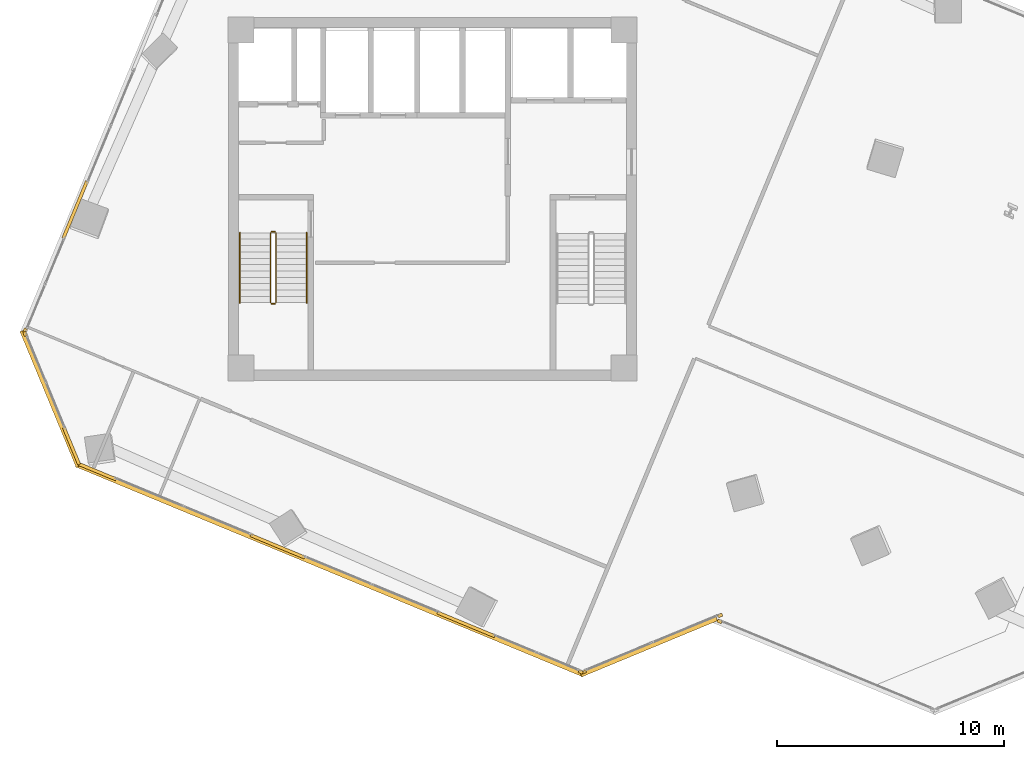
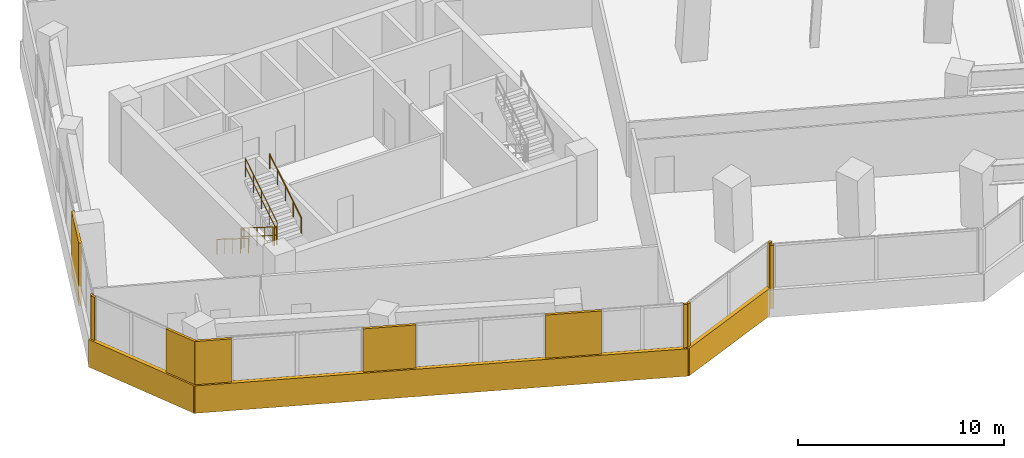
# One storey, part 20 of 23: 14 coverings, 6 railings.
"""IFC4 building model written with IfcOpenShell, lengths in metres."""

from ifc_helpers import new_model, si_unit, direction, frame, origin, origin_2d, place, context, subcontext, project, spatial, rectangle, circle, extrude, source, transform, mapped, material, layer, layer_set, type_object, element, save


model = new_model("IFC4")

# Units and contexts
model_context = context("Model", 3, precision=1e-05, world=origin(), true_north=direction((0.0, 1.0)))
body_context = subcontext(model_context, "Body", "Model", "MODEL_VIEW")
ifc_project = project(units=[si_unit("LENGTHUNIT", "METRE"), si_unit("AREAUNIT", "SQUARE_METRE"), si_unit("VOLUMEUNIT", "CUBIC_METRE"), si_unit("PLANEANGLEUNIT", "RADIAN"), si_unit("MASSUNIT", "GRAM", prefix="KILO")], contexts=[model_context])

# Site, building, storey
site_placement = place(None, origin())
site = spatial("IfcSite", under=ifc_project, at=site_placement, CompositionType="ELEMENT")
building_placement = place(site_placement, origin())
building = spatial("IfcBuilding", under=site, at=building_placement, Name="Torre Montelarca", CompositionType="ELEMENT")
storey_placement = place(building_placement, frame((0.0, 0.0, 145.60009765625)))
storey = spatial("IfcBuildingStorey", under=building, at=storey_placement, Name="L32", CompositionType="ELEMENT", Elevation=145.60009765625)

# Railings
ifc_material_1 = material(Name="Powder-coated steel ASTM A500 Grade C", Category="steel")
railing_type_1 = type_object("IfcRailingType", Name="RL-GUARD-1100", PredefinedType="BALUSTRADE", material=ifc_material_1)
railing_1_placement = place(storey_placement, frame((10.85009765625, 30.5, 0.1748046875)))
element("IfcRailing", 1, at=railing_1_placement, inside=storey, type_object=railing_type_1, Name="L32 ST1 stair guard 1", PredefinedType="BALUSTRADE", context=body_context, shape_type="SweptSolid", body=[
    extrude(circle(Radius=0.02392578125, at=origin_2d()), frame((0.0, 0.0, 1.076171875), z_axis=(0.0, -0.847998304005, 0.529998940003), x_axis=(1.0, 0.0, 0.0)), (0.0, 0.0, 1.0), 3.632080078125),
    extrude(circle(Radius=0.02099609375, at=origin_2d()), frame((0.0, 0.0, 0.572021484375), z_axis=(0.0, -0.847998304005, 0.529998940003), x_axis=(1.0, 0.0, 0.0)), (0.0, 0.0, 1.0), 3.632080078125),
    extrude(circle(Radius=0.02099609375, at=origin_2d()), origin(), (0.0, 0.0, 1.0), 1.052001953125),
    extrude(circle(Radius=0.02099609375, at=origin_2d()), frame((0.0, -0.77001953125, 0.481201171875)), (0.0, 0.0, 1.0), 1.052001953125),
    extrude(circle(Radius=0.02099609375, at=origin_2d()), frame((0.0, -1.5400390625, 0.96240234375)), (0.0, 0.0, 1.0), 1.052001953125),
    extrude(circle(Radius=0.02099609375, at=origin_2d()), frame((0.0, -2.31005859375, 1.44384765625)), (0.0, 0.0, 1.0), 1.052001953125),
    extrude(circle(Radius=0.02099609375, at=origin_2d()), frame((0.0, -3.080078125, 1.925048828125)), (0.0, 0.0, 1.0), 1.052001953125),
])
railing_2_placement = place(storey_placement, frame((10.89990234375, 27.3701171875, 2.099853515625)))
element("IfcRailing", 2, at=railing_2_placement, inside=storey, type_object=railing_type_1, Name="L32 ST1 stair guard 2", PredefinedType="BALUSTRADE", context=body_context, shape_type="SweptSolid", body=[
    extrude(circle(Radius=0.02392578125, at=origin_2d()), frame((0.0, 0.0, 1.076171875), z_axis=(1.0, 0.0, 0.0), x_axis=(0.0, 1.0, 0.0)), (0.0, 0.0, 1.0), 0.150146484375),
    extrude(circle(Radius=0.02099609375, at=origin_2d()), frame((0.0, 0.0, 0.572021484375), z_axis=(1.0, 0.0, 0.0), x_axis=(0.0, 1.0, 0.0)), (0.0, 0.0, 1.0), 0.150146484375),
    extrude(circle(Radius=0.02099609375, at=origin_2d()), origin(), (0.0, 0.0, 1.0), 1.052001953125),
    extrude(circle(Radius=0.02099609375, at=origin_2d()), frame((0.150146484375, 0.0, 0.0)), (0.0, 0.0, 1.0), 1.052001953125),
])
railing_3_placement = place(storey_placement, frame((11.10009765625, 27.419921875, 2.27490234375)))
element("IfcRailing", 3, at=railing_3_placement, inside=storey, type_object=railing_type_1, Name="L32 ST1 stair guard 3", PredefinedType="BALUSTRADE", context=body_context, shape_type="SweptSolid", body=[
    extrude(circle(Radius=0.02392578125, at=origin_2d()), frame((0.0, 0.0, 1.076171875), z_axis=(0.0, 0.847998304005, 0.529998940003), x_axis=(-1.0, 0.0, 0.0)), (0.0, 0.0, 1.0), 3.632080078125),
    extrude(circle(Radius=0.02099609375, at=origin_2d()), frame((0.0, 0.0, 0.572021484375), z_axis=(0.0, 0.847998304005, 0.529998940003), x_axis=(-1.0, 0.0, 0.0)), (0.0, 0.0, 1.0), 3.632080078125),
    extrude(circle(Radius=0.02099609375, at=origin_2d()), origin(), (0.0, 0.0, 1.0), 1.052001953125),
    extrude(circle(Radius=0.02099609375, at=origin_2d()), frame((0.0, 0.77001953125, 0.481201171875)), (0.0, 0.0, 1.0), 1.052001953125),
    extrude(circle(Radius=0.02099609375, at=origin_2d()), frame((0.0, 1.5400390625, 0.96240234375)), (0.0, 0.0, 1.0), 1.052001953125),
    extrude(circle(Radius=0.02099609375, at=origin_2d()), frame((0.0, 2.31005859375, 1.44384765625)), (0.0, 0.0, 1.0), 1.052001953125),
    extrude(circle(Radius=0.02099609375, at=origin_2d()), frame((0.0, 3.080078125, 1.925048828125)), (0.0, 0.0, 1.0), 1.052001953125),
])
railing_4_placement = place(storey_placement, frame((10.89990234375, 30.550048828125, 0.0)))
element("IfcRailing", 4, at=railing_4_placement, inside=storey, type_object=railing_type_1, Name="L32 ST1 stair guard 4", PredefinedType="BALUSTRADE", context=body_context, shape_type="SweptSolid", body=[
    extrude(circle(Radius=0.02392578125, at=origin_2d()), frame((0.0, 0.0, 1.076171875), z_axis=(1.0, 0.0, 0.0), x_axis=(0.0, 1.0, 0.0)), (0.0, 0.0, 1.0), 0.150146484375),
    extrude(circle(Radius=0.02099609375, at=origin_2d()), frame((0.0, 0.0, 0.572021484375), z_axis=(1.0, 0.0, 0.0), x_axis=(0.0, 1.0, 0.0)), (0.0, 0.0, 1.0), 0.150146484375),
    extrude(circle(Radius=0.02099609375, at=origin_2d()), origin(), (0.0, 0.0, 1.0), 1.052001953125),
    extrude(circle(Radius=0.02099609375, at=origin_2d()), frame((0.150146484375, 0.0, 0.0)), (0.0, 0.0, 1.0), 1.052001953125),
])
ifc_material_2 = material(Name="Brushed stainless steel AISI 316", Category="steel")
railing_type_2 = type_object("IfcRailingType", Name="RL-HANDRAIL-900", PredefinedType="HANDRAIL", material=ifc_material_2)
railing_5_placement = place(storey_placement, frame((9.5, 30.5, 0.1748046875)))
element("IfcRailing", 5, at=railing_5_placement, inside=storey, type_object=railing_type_2, Name="L32 ST1 stair handrail 1", PredefinedType="HANDRAIL", context=body_context, shape_type="SweptSolid", body=[
    extrude(circle(Radius=0.02392578125, at=origin_2d()), frame((0.0, 0.0, 0.8759765625), z_axis=(0.0, -0.847998304005, 0.529998940003), x_axis=(1.0, 0.0, 0.0)), (0.0, 0.0, 1.0), 3.632080078125),
    extrude(circle(Radius=0.02099609375, at=origin_2d()), origin(), (0.0, 0.0, 1.0), 0.851806640625),
    extrude(circle(Radius=0.02099609375, at=origin_2d()), frame((0.0, -0.77001953125, 0.481201171875)), (0.0, 0.0, 1.0), 0.851806640625),
    extrude(circle(Radius=0.02099609375, at=origin_2d()), frame((0.0, -1.5400390625, 0.96240234375)), (0.0, 0.0, 1.0), 0.851806640625),
    extrude(circle(Radius=0.02099609375, at=origin_2d()), frame((0.0, -2.31005859375, 1.44384765625)), (0.0, 0.0, 1.0), 0.851806640625),
    extrude(circle(Radius=0.02099609375, at=origin_2d()), frame((0.0, -3.080078125, 1.925048828125)), (0.0, 0.0, 1.0), 0.851806640625),
])
railing_6_placement = place(storey_placement, frame((12.449951171875, 27.419921875, 2.27490234375)))
element("IfcRailing", 6, at=railing_6_placement, inside=storey, type_object=railing_type_2, Name="L32 ST1 stair handrail 2", PredefinedType="HANDRAIL", context=body_context, shape_type="SweptSolid", body=[
    extrude(circle(Radius=0.02392578125, at=origin_2d()), frame((0.0, 0.0, 0.8759765625), z_axis=(0.0, 0.847998304005, 0.529998940003), x_axis=(-1.0, 0.0, 0.0)), (0.0, 0.0, 1.0), 3.632080078125),
    extrude(circle(Radius=0.02099609375, at=origin_2d()), origin(), (0.0, 0.0, 1.0), 0.851806640625),
    extrude(circle(Radius=0.02099609375, at=origin_2d()), frame((0.0, 0.77001953125, 0.481201171875)), (0.0, 0.0, 1.0), 0.851806640625),
    extrude(circle(Radius=0.02099609375, at=origin_2d()), frame((0.0, 1.5400390625, 0.96240234375)), (0.0, 0.0, 1.0), 0.851806640625),
    extrude(circle(Radius=0.02099609375, at=origin_2d()), frame((0.0, 2.31005859375, 1.44384765625)), (0.0, 0.0, 1.0), 0.851806640625),
    extrude(circle(Radius=0.02099609375, at=origin_2d()), frame((0.0, 3.080078125, 1.925048828125)), (0.0, 0.0, 1.0), 0.851806640625),
])

# Coverings
ifc_material_3 = material(Name="Bush-hammered warm white precast concrete C45/55", Category="concrete")
ifc_layer = layer(ifc_material_3, 0.139892578125, Name="Bush-hammered warm white precast concrete C45/55", Category="concrete")
ifc_layer_set = layer_set([ifc_layer], Name="Bush-hammered warm white precast concrete C45/55")
covering_type = type_object("IfcCoveringType", Name="COV-TRAY-CLAD", PredefinedType="CLADDING", material=ifc_layer_set)
shared_shape_1 = source(origin(), body_context, "Body", "SweptSolid", [
    extrude(rectangle(XDim=24.219970703125, YDim=0.219970703125, at=origin_2d()), origin(), (0.0, 0.0, 1.0), 1.6201171875),
])
covering_1_placement = place(storey_placement, frame((13.484130859375, 15.6533203125, -0.4501953125), z_axis=(0.0, 0.0, 1.0), x_axis=(0.923878196688, -0.382686657311, 0.0)))
element("IfcCovering", 7, at=covering_1_placement, inside=storey, type_object=covering_type, Name="L32 Architectural White Spandrel Tray Band TRYBOT-01", PredefinedType="CLADDING", context=body_context, shape_type="MappedRepresentation", body=[
    mapped(shared_shape_1, transform((0.0, 0.0, 0.0), scale=1.0)),
])
shared_shape_2 = source(origin(), body_context, "Body", "SweptSolid", [
    extrude(rectangle(XDim=6.48388671875, YDim=0.219970703125, at=origin_2d()), origin(), (0.0, 0.0, 1.0), 1.6201171875),
])
for number, where, z_axis, x_axis, name in (
    (8, (27.53369140625, 12.259521484375, -0.4501953125), (0.0, 0.0, 1.0), (0.923880200418, 0.382681819891, 0.0), "L32 Architectural White Spandrel Tray Band TRYBOT-02"),
    (9, (1.14990234375, 23.18798828125, -0.4501953125), (0.0, 0.0, 1.0), (0.382688269782, -0.923877528773, 0.0), "L32 Architectural White Spandrel Tray Band TRYBOT-11"),
):
    element("IfcCovering", number, at=place(storey_placement, frame(where, z_axis=z_axis, x_axis=x_axis)), inside=storey, type_object=covering_type, Name=name, PredefinedType="CLADDING", context=body_context, shape_type="MappedRepresentation", body=[
        mapped(shared_shape_2, transform((0.0, 0.0, 0.0), scale=1.0)),
    ])
shared_shape_3 = source(origin(), body_context, "Body", "SweptSolid", [
    extrude(rectangle(XDim=0.199951171875, YDim=0.139892578125, at=origin_2d()), origin(), (0.0, 0.0, 1.0), 3.719970703125),
])
for number, where, z_axis, x_axis, name in (
    (10, (24.53271484375, 11.1416015625, 0.0), (0.0, 0.0, 1.0), (0.923878196688, -0.382686657311, 0.0), "L32 Architectural Column Pier Cladding E01-4"),
    (11, (24.677978515625, 11.1416015625, 0.0), (0.0, 0.0, 1.0), (0.923882204123, 0.38267698246, 0.0), "L32 Architectural Column Pier Cladding E02-1"),
    (12, (30.683349609375, 13.62890625, 0.0), (0.0, 0.0, 1.0), (0.923882204123, 0.38267698246, 0.0), "L32 Architectural Column Pier Cladding E02-2"),
    (13, (30.65869140625, 13.36669921875, 0.0), (0.0, 0.0, 1.0), (0.923882872019, -0.382675369981, 0.0), "L32 Architectural Column Pier Cladding E04-1"),
    (14, (0.031982421875, 26.18896484375, 0.0), (0.0, 0.0, 1.0), (-0.382680207415, -0.923880868323, 0.0), "L32 Architectural Column Pier Cladding E10-5"),
    (15, (0.031982421875, 26.043701171875, 0.0), (0.0, 0.0, 1.0), (0.382688269782, -0.923877528773, 0.0), "L32 Architectural Column Pier Cladding E11-1"),
):
    element("IfcCovering", number, at=place(storey_placement, frame(where, z_axis=z_axis, x_axis=x_axis)), inside=storey, type_object=covering_type, Name=name, PredefinedType="CLADDING", context=body_context, shape_type="MappedRepresentation", body=[
        mapped(shared_shape_3, transform((0.0, 0.0, 0.0), scale=1.0)),
    ])
shared_shape_4 = source(origin(), body_context, "Body", "SweptSolid", [
    extrude(rectangle(XDim=2.58447265625, YDim=0.139892578125, at=origin_2d()), origin(), (0.0, 0.0, 1.0), 3.719970703125),
])
covering_2_placement = place(storey_placement, frame((11.1630859375, 16.679443359375, 0.0), z_axis=(0.0, 0.0, 1.0), x_axis=(0.923878196688, -0.382686657311, 0.0)))
element("IfcCovering", 16, at=covering_2_placement, inside=storey, type_object=covering_type, Name="L32 Architectural Column Pier Cladding E01-2", PredefinedType="CLADDING", context=body_context, shape_type="MappedRepresentation", body=[
    mapped(shared_shape_4, transform((0.0, 0.0, 0.0), scale=1.0)),
])
shared_shape_5 = source(origin(), body_context, "Body", "SweptSolid", [
    extrude(rectangle(XDim=2.736572265625, YDim=0.139892578125, at=origin_2d()), origin(), (0.0, 0.0, 1.0), 3.719970703125),
])
covering_3_placement = place(storey_placement, frame((19.47705078125, 13.23583984375, 0.0), z_axis=(0.0, 0.0, 1.0), x_axis=(0.923878196688, -0.382686657311, 0.0)))
element("IfcCovering", 17, at=covering_3_placement, inside=storey, type_object=covering_type, Name="L32 Architectural Column Pier Cladding E01-3", PredefinedType="CLADDING", context=body_context, shape_type="MappedRepresentation", body=[
    mapped(shared_shape_5, transform((0.0, 0.0, 0.0), scale=1.0)),
])
shared_shape_6 = source(origin(), body_context, "Body", "SweptSolid", [
    extrude(rectangle(XDim=1.7890625, YDim=0.139892578125, at=origin_2d()), origin(), (0.0, 0.0, 1.0), 3.719970703125),
])
covering_4_placement = place(storey_placement, frame((3.215576171875, 19.971435546875, 0.0), z_axis=(0.0, 0.0, 1.0), x_axis=(0.923878196688, -0.382686657311, 0.0)))
element("IfcCovering", 18, at=covering_4_placement, inside=storey, type_object=covering_type, Name="L32 Architectural Column Pier Cladding E01-1", PredefinedType="CLADDING", context=body_context, shape_type="MappedRepresentation", body=[
    mapped(shared_shape_6, transform((0.0, 0.0, 0.0), scale=1.0)),
])
shared_shape_7 = source(origin(), body_context, "Body", "SweptSolid", [
    extrude(rectangle(XDim=2.7294921875, YDim=0.139892578125, at=origin_2d()), origin(), (0.0, 0.0, 1.0), 3.719970703125),
])
covering_5_placement = place(storey_placement, frame((2.23974609375, 31.518798828125, 0.0), z_axis=(0.0, 0.0, 1.0), x_axis=(-0.382680207415, -0.923880868323, 0.0)))
element("IfcCovering", 19, at=covering_5_placement, inside=storey, type_object=covering_type, Name="L32 Architectural Column Pier Cladding E10-4", PredefinedType="CLADDING", context=body_context, shape_type="MappedRepresentation", body=[
    mapped(shared_shape_7, transform((0.0, 0.0, 0.0), scale=1.0)),
])
shared_shape_8 = source(origin(), body_context, "Body", "SweptSolid", [
    extrude(rectangle(XDim=1.76025390625, YDim=0.139892578125, at=origin_2d()), origin(), (0.0, 0.0, 1.0), 3.719970703125),
])
covering_6_placement = place(storey_placement, frame((2.080322265625, 21.09912109375, 0.0), z_axis=(0.0, 0.0, 1.0), x_axis=(0.382688269782, -0.923877528773, 0.0)))
element("IfcCovering", 20, at=covering_6_placement, inside=storey, type_object=covering_type, Name="L32 Architectural Column Pier Cladding E11-2", PredefinedType="CLADDING", context=body_context, shape_type="MappedRepresentation", body=[
    mapped(shared_shape_8, transform((0.0, 0.0, 0.0), scale=1.0)),
])

save(model, "model.ifc")
